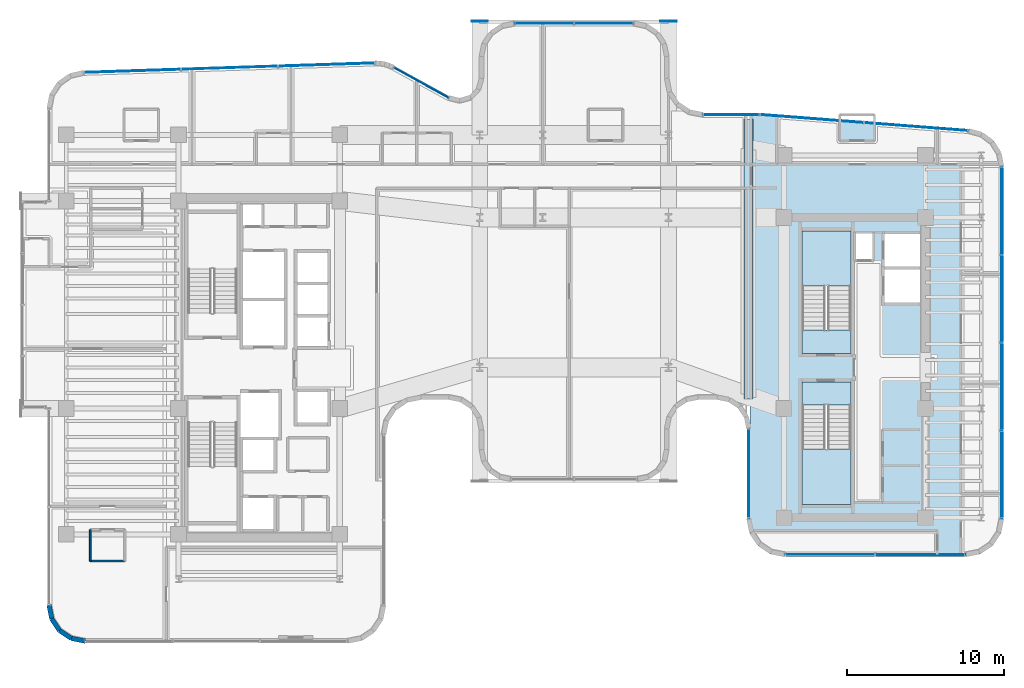
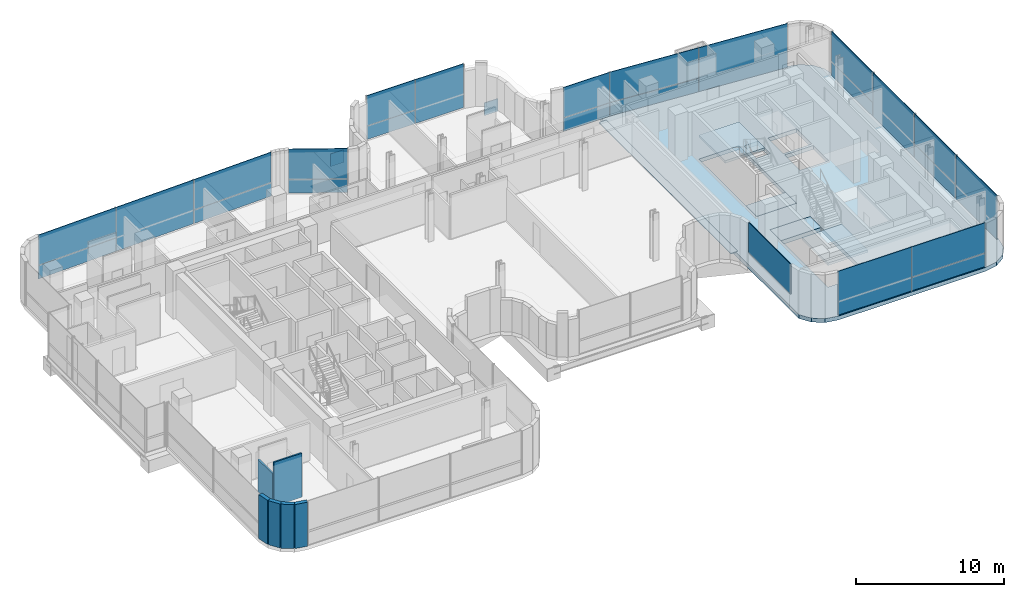
# One storey, part 25 of 36: 28 plates, 6 walls, 5 slabs, 10 elements without a shape of their own.
"""IFC4 building model written with IfcOpenShell, lengths in metres."""

from ifc_helpers import new_model, si_unit, direction, frame, frame_2d, origin, origin_2d, place, context, subcontext, project, spatial, polyline, rectangle, outline, extrude, source, transform, mapped, material, layer, layer_set, type_object, element, aggregate, save


model = new_model("IFC4")

# Units and contexts
model_context = context("Model", 3, precision=1e-05, world=origin(), true_north=direction((0.0, 1.0)))
body_context = subcontext(model_context, "Body", "Model", "MODEL_VIEW")
ifc_project = project(units=[si_unit("LENGTHUNIT", "METRE"), si_unit("AREAUNIT", "SQUARE_METRE"), si_unit("VOLUMEUNIT", "CUBIC_METRE"), si_unit("PLANEANGLEUNIT", "RADIAN"), si_unit("MASSUNIT", "GRAM", prefix="KILO")], contexts=[model_context])

# Site, building, storey
site_placement = place(None, origin())
site = spatial("IfcSite", under=ifc_project, at=site_placement, CompositionType="ELEMENT")
building_placement = place(site_placement, origin())
building = spatial("IfcBuilding", under=site, at=building_placement, Name="Valdorenza Pilgrim Sanctuary Tower", CompositionType="ELEMENT")
storey_placement = place(building_placement, frame((0.0, 0.0, 176.550048828125)))
storey = spatial("IfcBuildingStorey", under=building, at=storey_placement, Name="L45", CompositionType="ELEMENT", Elevation=176.550048828125)

# Slab
ifc_material_1 = material(Name="Concrete C40/50", Category="concrete")
ifc_layer_1 = layer(ifc_material_1, 0.320068359375, Name="Concrete C40/50")
ifc_layer_set_1 = layer_set([ifc_layer_1], Name="Concrete C40/50")
slab_type_1 = type_object("IfcSlabType", Name="SLAB-PRY-320", PredefinedType="FLOOR", material=ifc_layer_set_1)
slab_1_placement = place(storey_placement, frame((0.0, 0.0, -0.320068359375)))
element("IfcSlab", 1, at=slab_1_placement, inside=storey, type_object=slab_type_1, Name="L45 Structural Floor Slab 2", PredefinedType="FLOOR", context=body_context, shape_type="SweptSolid", body=[
    extrude(outline(polyline([(27.585205078125, 15.17138671875), (28.4453125, 14.93896484375), (29.161376953125, 14.408935546875), (29.634521484375, 13.654052734375), (29.800048828125, 12.778564453125), (29.800048828125, -9.60009765625), (29.6171875, -10.518310546875), (29.09716796875, -11.297119140625), (28.318359375, -11.8173828125), (27.39990234375, -12.0), (15.89990234375, -12.0), (14.981689453125, -11.8173828125), (14.202880859375, -11.297119140625), (13.6826171875, -10.518310546875), (13.679931640625, -10.5048828125), (13.679931640625, 16.199951171875), (14.300048828125, 16.199951171875), (27.585205078125, 15.17138671875)]), holes=[polyline([(17.0, -8.699951171875), (20.110107421875, -8.699951171875), (20.110107421875, -2.385009765625), (20.110107421875, -0.89990234375), (17.0, -0.89990234375), (17.0, -2.385009765625), (17.0, -8.699951171875)]), polyline([(17.0, 0.89990234375), (20.110107421875, 0.89990234375), (20.110107421875, 2.385009765625), (20.110107421875, 8.699951171875), (17.0, 8.699951171875), (17.0, 2.385009765625), (17.0, 0.89990234375)]), polyline([(22.25, 4.14990234375), (24.47998046875, 4.14990234375), (24.47998046875, 6.22509765625), (22.25, 6.22509765625), (22.25, 4.14990234375)]), polyline([(22.25, 6.425048828125), (24.47998046875, 6.425048828125), (24.47998046875, 8.5), (22.25, 8.5), (22.25, 6.425048828125)]), polyline([(20.409912109375, 6.860107421875), (21.489990234375, 6.860107421875), (21.489990234375, 8.52001953125), (20.409912109375, 8.52001953125), (20.409912109375, 6.860107421875)])]), origin(), (0.0, 0.0, 1.0), 0.320068359375),
])

# Stair, slab
stair_type = type_object("IfcStairType", Name="STR-DOG-CORE", PredefinedType="HALF_TURN_STAIR", material=ifc_material_1)
stair_1_placement = place(storey_placement, origin())
stair_1 = element("IfcStair", 2, at=stair_1_placement, inside=storey, type_object=stair_type, Name="L45 ST-B1", PredefinedType="HALF_TURN_STAIR")
ifc_layer_2 = layer(ifc_material_1, 0.199951171875, Name="Concrete C40/50")
ifc_layer_set_2 = layer_set([ifc_layer_2], Name="Concrete C40/50")
slab_type_2 = type_object("IfcSlabType", Name="SLAB-STL-200", PredefinedType="LANDING", material=ifc_layer_set_2)
slab_2_placement = place(storey_placement, frame((0.0, 0.0, 1.77490234375)))
slab_2 = element("IfcSlab", 3, at=slab_2_placement, type_object=slab_type_2, Name="ST-B1 landing 1", PredefinedType="LANDING", context=body_context, shape_type="SweptSolid", body=[
    extrude(outline(polyline([(20.110107421875, 5.179931640625), (20.110107421875, 8.699951171875), (17.0, 8.699951171875), (17.0, 5.179931640625), (20.110107421875, 5.179931640625)])), origin(), (0.0, 0.0, 1.0), 0.199951171875),
])
aggregate(stair_1, [slab_2])

stair_2_placement = place(storey_placement, origin())
stair_2 = element("IfcStair", 4, at=stair_2_placement, inside=storey, type_object=stair_type, Name="L45 ST-B2", PredefinedType="HALF_TURN_STAIR")
slab_3_placement = place(storey_placement, frame((0.0, 0.0, 1.77490234375)))
slab_3 = element("IfcSlab", 5, at=slab_3_placement, type_object=slab_type_2, Name="ST-B2 landing 1", PredefinedType="LANDING", context=body_context, shape_type="SweptSolid", body=[
    extrude(outline(polyline([(17.0, -5.179931640625), (17.0, -8.699951171875), (20.110107421875, -8.699951171875), (20.110107421875, -5.179931640625), (17.0, -5.179931640625)])), origin(), (0.0, 0.0, 1.0), 0.199951171875),
])
aggregate(stair_2, [slab_3])

# Slabs
ifc_material_2 = material(Name="Concrete C50/60", Category="concrete")
ifc_layer_3 = layer(ifc_material_2, 0.39990234375, Name="Concrete C50/60")
ifc_layer_set_3 = layer_set([ifc_layer_3], Name="Concrete C50/60")
slab_type_3 = type_object("IfcSlabType", Name="SLAB-TRF-400", PredefinedType="FLOOR", material=ifc_layer_set_3)
slab_4_placement = place(storey_placement, frame((0.0, 0.0, -0.360107421875)))
element("IfcSlab", 6, at=slab_4_placement, inside=storey, type_object=slab_type_3, Name="L45 ST-B1 Structural Stair Landing Bearing Slab", PredefinedType="FLOOR", context=body_context, shape_type="SweptSolid", body=[
    extrude(outline(polyline([(17.0, 0.89990234375), (20.110107421875, 0.89990234375), (20.110107421875, 2.385009765625), (17.0, 2.385009765625), (17.0, 0.89990234375)])), origin(), (0.0, 0.0, 1.0), 0.360107421875),
])
slab_5_placement = place(storey_placement, frame((0.0, 0.0, -0.360107421875)))
element("IfcSlab", 7, at=slab_5_placement, inside=storey, type_object=slab_type_3, Name="L45 ST-B2 Structural Stair Landing Bearing Slab", PredefinedType="FLOOR", context=body_context, shape_type="SweptSolid", body=[
    extrude(outline(polyline([(17.0, -2.385009765625), (20.110107421875, -2.385009765625), (20.110107421875, -0.89990234375), (17.0, -0.89990234375), (17.0, -2.385009765625)])), origin(), (0.0, 0.0, 1.0), 0.360107421875),
])

# Plates
ifc_material_3 = material(Name="Steel ASTM A572 Grade 42", Category="steel")
ifc_layer_4 = layer(ifc_material_3, 0.06005859375, Name="Steel ASTM A572 Grade 42")
ifc_layer_set_4 = layer_set([ifc_layer_4], Name="Steel ASTM A572 Grade 42")
plate_type_1 = type_object("IfcPlateType", Name="PLT-CAP-60", PredefinedType="SHEET", material=ifc_layer_set_4)
shared_shape_1 = source(origin(), body_context, "Body", "SweptSolid", [
    extrude(rectangle(XDim=0.56005859375, YDim=17.800048828125, at=origin_2d()), origin(), (0.0, 0.0, 1.0), 0.06005859375),
])
plate_1_placement = place(storey_placement, frame((13.590087890625, 6.89990234375, -0.06005859375), z_axis=(0.0, 0.0, 1.0), x_axis=(1.0, 0.0, 0.0)))
element("IfcPlate", 8, at=plate_1_placement, inside=storey, type_object=plate_type_1, Name="L45 Portal Bridge Expansion Joint Cover Plate", PredefinedType="SHEET", context=body_context, shape_type="MappedRepresentation", body=[
    mapped(shared_shape_1, transform((0.0, 0.0, 0.0), x_axis=(1.0, 0.0, 0.0), y_axis=(0.0, 1.0, 0.0), z_axis=(0.0, 0.0, 1.0), scale=1.0)),
])
shared_shape_2 = source(origin(), body_context, "Body", "SweptSolid", [
    extrude(rectangle(XDim=1.0400390625, YDim=0.06005859375, at=origin_2d()), origin(), (0.0, 0.0, 1.0), 1.0400390625),
])
for number, where, z_axis, x_axis, name in (
    (9, (-3.5, 22.030029296875, -1.340087890625), (0.0, 0.0, 1.0), (1.0, 0.0, 0.0), "L45 North Prow Cantilever End Cap W"),
    (10, (8.5, 22.030029296875, -1.340087890625), (0.0, 0.0, 1.0), (1.0, 0.0, 0.0), "L45 North Prow Cantilever End Cap E"),
):
    element("IfcPlate", number, at=place(storey_placement, frame(where, z_axis=z_axis, x_axis=x_axis)), inside=storey, type_object=plate_type_1, Name=name, PredefinedType="SHEET", context=body_context, shape_type="MappedRepresentation", body=[
        mapped(shared_shape_2, transform((0.0, 0.0, 0.0), x_axis=(1.0, 0.0, 0.0), y_axis=(0.0, 1.0, 0.0), z_axis=(0.0, 0.0, 1.0), scale=1.0)),
    ])

# Curtain wall, plates
ifc_material_4 = material(Name="Curtain-wall IGU glazing", Category="glass")
curtain_wall_type_1 = type_object("IfcCurtainWallType", Name="CW-SYS-02", PredefinedType="NOTDEFINED", material=ifc_material_4)
curtain_wall_1_placement = place(storey_placement, origin())
curtain_wall_1 = element("IfcCurtainWall", 11, at=curtain_wall_1_placement, inside=storey, type_object=curtain_wall_type_1, Name="L45 Curtain Wall CW-L45-1-6", PredefinedType="NOTDEFINED")
ifc_material_5 = material(Name="Honed travertine limestone", Category="masonry")
ifc_layer_5 = layer(ifc_material_5, 0.050048828125, Name="Honed travertine limestone")
ifc_layer_set_5 = layer_set([ifc_layer_5], Name="Honed travertine limestone")
plate_type_2 = type_object("IfcPlateType", Name="CW-SPN-TRV", PredefinedType="USERDEFINED", material=ifc_layer_set_5)
shared_shape_3 = source(origin(), body_context, "Body", "SweptSolid", [
    extrude(rectangle(XDim=6.15185546875, YDim=0.06005859375, at=origin_2d()), origin(), (0.0, 0.0, 1.0), 1.10009765625),
])
plate_2_placement = place(storey_placement, frame((-25.57958984375, 18.866455078125, 0.010009765625), z_axis=(0.0, 0.0, 1.0), x_axis=(0.999470282811, 0.032544642846, 0.0)))
plate_2 = element("IfcPlate", 12, at=plate_2_placement, type_object=plate_type_2, Name="CW-L45-1-6 Travertine Spandrel 1", ObjectType="SPANDREL", PredefinedType="USERDEFINED", context=body_context, shape_type="MappedRepresentation", body=[
    mapped(shared_shape_3, transform((0.0, 0.0, 0.0), x_axis=(1.0, 0.0, 0.0), y_axis=(0.0, 1.0, 0.0), z_axis=(0.0, 0.0, 1.0), scale=1.0)),
])
plate_3_placement = place(storey_placement, frame((-13.2421875, 19.26806640625, 0.010009765625), z_axis=(0.0, 0.0, 1.0), x_axis=(0.999470282811, 0.032544642846, 0.0)))
plate_3 = element("IfcPlate", 13, at=plate_3_placement, type_object=plate_type_2, Name="CW-L45-1-6 Travertine Spandrel 3", ObjectType="SPANDREL", PredefinedType="USERDEFINED", context=body_context, shape_type="MappedRepresentation", body=[
    mapped(shared_shape_3, transform((0.0, 0.0, 0.0), x_axis=(1.0, 0.0, 0.0), y_axis=(0.0, 1.0, 0.0), z_axis=(0.0, 0.0, 1.0), scale=1.0)),
])

# Curtain wall, plate
curtain_wall_type_2 = type_object("IfcCurtainWallType", Name="CW-SYS-05", PredefinedType="NOTDEFINED", material=ifc_material_4)
curtain_wall_2_placement = place(storey_placement, origin())
curtain_wall_2 = element("IfcCurtainWall", 14, at=curtain_wall_2_placement, inside=storey, type_object=curtain_wall_type_2, Name="L45 Curtain Wall CW-L45-1-11", PredefinedType="NOTDEFINED")
shared_shape_4 = source(origin(), body_context, "Body", "SweptSolid", [
    extrude(rectangle(XDim=3.97607421875, YDim=0.06005859375, at=origin_2d()), origin(), (0.0, 0.0, 1.0), 1.10009765625),
])
plate_4_placement = place(storey_placement, frame((-7.222412109375, 18.12158203125, 0.010009765625), z_axis=(0.0, 0.0, 1.0), x_axis=(0.876214173829, -0.481921904027, 0.0)))
plate_4 = element("IfcPlate", 15, at=plate_4_placement, type_object=plate_type_2, Name="CW-L45-1-11 Travertine Spandrel 1", ObjectType="SPANDREL", PredefinedType="USERDEFINED", context=body_context, shape_type="MappedRepresentation", body=[
    mapped(shared_shape_4, transform((0.0, 0.0, 0.0), x_axis=(1.0, 0.0, 0.0), y_axis=(0.0, 1.0, 0.0), z_axis=(0.0, 0.0, 1.0), scale=1.0)),
])

curtain_wall_3_placement = place(storey_placement, origin())
curtain_wall_3 = element("IfcCurtainWall", 16, at=curtain_wall_3_placement, inside=storey, type_object=curtain_wall_type_2, Name="L45 Curtain Wall CW-L45-1-21", PredefinedType="NOTDEFINED")
shared_shape_5 = source(origin(), body_context, "Body", "SweptSolid", [
    extrude(rectangle(XDim=3.76513671875, YDim=0.06005859375, at=origin_2d()), origin(), (0.0, 0.0, 1.0), 1.10009765625),
])
plate_5_placement = place(storey_placement, frame((0.607421875, 21.889892578125, 0.010009765625), z_axis=(0.0, 0.0, 1.0), x_axis=(1.0, 0.0, 0.0)))
plate_5 = element("IfcPlate", 17, at=plate_5_placement, type_object=plate_type_2, Name="CW-L45-1-21 Travertine Spandrel 1", ObjectType="SPANDREL", PredefinedType="USERDEFINED", context=body_context, shape_type="MappedRepresentation", body=[
    mapped(shared_shape_5, transform((0.0, 0.0, 0.0), x_axis=(1.0, 0.0, 0.0), y_axis=(0.0, 1.0, 0.0), z_axis=(0.0, 0.0, 1.0), scale=1.0)),
])

curtain_wall_4_placement = place(storey_placement, origin())
curtain_wall_4 = element("IfcCurtainWall", 18, at=curtain_wall_4_placement, inside=storey, type_object=curtain_wall_type_2, Name="L45 Curtain Wall CW-L45-1-31", PredefinedType="NOTDEFINED")
shared_shape_6 = source(origin(), body_context, "Body", "SweptSolid", [
    extrude(rectangle(XDim=3.58251953125, YDim=0.06005859375, at=origin_2d()), origin(), (0.0, 0.0, 1.0), 1.10009765625),
])
plate_6_placement = place(storey_placement, frame((12.494384765625, 16.090087890625, 0.010009765625), z_axis=(0.0, 0.0, 1.0), x_axis=(1.0, 0.0, 0.0)))
plate_6 = element("IfcPlate", 19, at=plate_6_placement, type_object=plate_type_2, Name="CW-L45-1-31 Travertine Spandrel 1", ObjectType="SPANDREL", PredefinedType="USERDEFINED", context=body_context, shape_type="MappedRepresentation", body=[
    mapped(shared_shape_6, transform((0.0, 0.0, 0.0), x_axis=(1.0, 0.0, 0.0), y_axis=(0.0, 1.0, 0.0), z_axis=(0.0, 0.0, 1.0), scale=1.0)),
])

curtain_wall_type_3 = type_object("IfcCurtainWallType", Name="CW-SYS-03", PredefinedType="NOTDEFINED", material=ifc_material_4)
curtain_wall_5_placement = place(storey_placement, origin())
curtain_wall_5 = element("IfcCurtainWall", 20, at=curtain_wall_5_placement, inside=storey, type_object=curtain_wall_type_3, Name="L45 Curtain Wall CW-L45-1-32", PredefinedType="NOTDEFINED")
shared_shape_7 = source(origin(), body_context, "Body", "SweptSolid", [
    extrude(rectangle(XDim=6.63525390625, YDim=0.06005859375, at=origin_2d()), origin(), (0.0, 0.0, 1.0), 1.10009765625),
])
plate_7_placement = place(storey_placement, frame((17.61328125, 15.8330078125, 0.010009765625), z_axis=(0.0, 0.0, 1.0), x_axis=(0.997016488532, -0.077188869631, 0.0)))
plate_7 = element("IfcPlate", 21, at=plate_7_placement, type_object=plate_type_2, Name="CW-L45-1-32 Travertine Spandrel 1", ObjectType="SPANDREL", PredefinedType="USERDEFINED", context=body_context, shape_type="MappedRepresentation", body=[
    mapped(shared_shape_7, transform((0.0, 0.0, 0.0), x_axis=(1.0, 0.0, 0.0), y_axis=(0.0, 1.0, 0.0), z_axis=(0.0, 0.0, 1.0), scale=1.0)),
])

# Curtain wall, plates
curtain_wall_6_placement = place(storey_placement, origin())
curtain_wall_6 = element("IfcCurtainWall", 22, at=curtain_wall_6_placement, inside=storey, type_object=curtain_wall_type_3, Name="L45 Curtain Wall CW-L45-1-37", PredefinedType="NOTDEFINED")
shared_shape_8 = source(origin(), body_context, "Body", "SweptSolid", [
    extrude(rectangle(XDim=5.5693359375, YDim=0.06005859375, at=origin_2d()), origin(), (0.0, 0.0, 1.0), 1.10009765625),
])
plate_8_placement = place(storey_placement, frame((29.68994140625, 9.9736328125, 0.010009765625), z_axis=(0.0, 0.0, 1.0), x_axis=(0.0, -1.0, 0.0)))
plate_8 = element("IfcPlate", 23, at=plate_8_placement, type_object=plate_type_2, Name="CW-L45-1-37 Travertine Spandrel 1", ObjectType="SPANDREL", PredefinedType="USERDEFINED", context=body_context, shape_type="MappedRepresentation", body=[
    mapped(shared_shape_8, transform((0.0, 0.0, 0.0), x_axis=(1.0, 0.0, 0.0), y_axis=(0.0, 1.0, 0.0), z_axis=(0.0, 0.0, 1.0), scale=1.0)),
])
plate_9_placement = place(storey_placement, frame((29.68994140625, -1.205078125, 0.010009765625), z_axis=(0.0, 0.0, 1.0), x_axis=(0.0, -1.0, 0.0)))
plate_9 = element("IfcPlate", 24, at=plate_9_placement, type_object=plate_type_2, Name="CW-L45-1-37 Travertine Spandrel 3", ObjectType="SPANDREL", PredefinedType="USERDEFINED", context=body_context, shape_type="MappedRepresentation", body=[
    mapped(shared_shape_8, transform((0.0, 0.0, 0.0), x_axis=(1.0, 0.0, 0.0), y_axis=(0.0, 1.0, 0.0), z_axis=(0.0, 0.0, 1.0), scale=1.0)),
])

# Curtain wall, plate
curtain_wall_7_placement = place(storey_placement, origin())
curtain_wall_7 = element("IfcCurtainWall", 25, at=curtain_wall_7_placement, inside=storey, type_object=curtain_wall_type_3, Name="L45 Curtain Wall CW-L45-1-42", PredefinedType="NOTDEFINED")
shared_shape_9 = source(origin(), body_context, "Body", "SweptSolid", [
    extrude(rectangle(XDim=5.71923828125, YDim=0.06005859375, at=origin_2d()), origin(), (0.0, 0.0, 1.0), 1.10009765625),
])
plate_10_placement = place(storey_placement, frame((24.51953125, -11.889892578125, 0.010009765625), z_axis=(0.0, 0.0, 1.0), x_axis=(-1.0, 0.0, 0.0)))
plate_10 = element("IfcPlate", 26, at=plate_10_placement, type_object=plate_type_2, Name="CW-L45-1-42 Travertine Spandrel 1", ObjectType="SPANDREL", PredefinedType="USERDEFINED", context=body_context, shape_type="MappedRepresentation", body=[
    mapped(shared_shape_9, transform((0.0, 0.0, 0.0), x_axis=(1.0, 0.0, 0.0), y_axis=(0.0, 1.0, 0.0), z_axis=(0.0, 0.0, 1.0), scale=1.0)),
])

# Plate
ifc_material_6 = material(Name="Ceramic-fritted low-E IGU glazing", Category="glass")
ifc_layer_6 = layer(ifc_material_6, 0.035888671875, Name="Ceramic-fritted low-E IGU glazing")
ifc_layer_set_6 = layer_set([ifc_layer_6], Name="Ceramic-fritted low-E IGU glazing")
plate_type_3 = type_object("IfcPlateType", Name="CW-GLZ-IGU", PredefinedType="USERDEFINED", material=ifc_layer_set_6)
shared_shape_10 = source(origin(), body_context, "Body", "SweptSolid", [
    extrude(rectangle(XDim=6.15185546875, YDim=0.050048828125, at=origin_2d()), origin(), (0.0, 0.0, 1.0), 2.489990234375),
])
plate_11_placement = place(storey_placement, frame((-25.57958984375, 18.866455078125, 1.1298828125), z_axis=(0.0, 0.0, 1.0), x_axis=(0.999470282811, 0.032544642846, 0.0)))
plate_11 = element("IfcPlate", 27, at=plate_11_placement, type_object=plate_type_3, Name="CW-L45-1-6 Facade Panel 1", ObjectType="GLAZING", PredefinedType="USERDEFINED", context=body_context, shape_type="MappedRepresentation", body=[
    mapped(shared_shape_10, transform((0.0, 0.0, 0.0), x_axis=(1.0, 0.0, 0.0), y_axis=(0.0, 1.0, 0.0), z_axis=(0.0, 0.0, 1.0), scale=1.0)),
])

plate_12_placement = place(storey_placement, frame((-13.2421875, 19.26806640625, 1.1298828125), z_axis=(0.0, 0.0, 1.0), x_axis=(0.999470282811, 0.032544642846, 0.0)))
plate_12 = element("IfcPlate", 28, at=plate_12_placement, type_object=plate_type_3, Name="CW-L45-1-6 Facade Panel 3", ObjectType="GLAZING", PredefinedType="USERDEFINED", context=body_context, shape_type="MappedRepresentation", body=[
    mapped(shared_shape_10, transform((0.0, 0.0, 0.0), x_axis=(1.0, 0.0, 0.0), y_axis=(0.0, 1.0, 0.0), z_axis=(0.0, 0.0, 1.0), scale=1.0)),
])

shared_shape_11 = source(origin(), body_context, "Body", "SweptSolid", [
    extrude(rectangle(XDim=6.15185546875, YDim=0.050048828125, at=origin_2d()), origin(), (0.0, 0.0, 1.0), 3.610107421875),
])
plate_13_placement = place(storey_placement, frame((-19.410888671875, 19.0673828125, 0.009765625), z_axis=(0.0, 0.0, 1.0), x_axis=(0.999470282811, 0.032544642846, 0.0)))
plate_13 = element("IfcPlate", 29, at=plate_13_placement, type_object=plate_type_3, Name="CW-L45-1-6 Full-Height Facade Panel 2", ObjectType="GLAZING", PredefinedType="USERDEFINED", context=body_context, shape_type="MappedRepresentation", body=[
    mapped(shared_shape_11, transform((0.0, 0.0, 0.0), x_axis=(1.0, 0.0, 0.0), y_axis=(0.0, 1.0, 0.0), z_axis=(0.0, 0.0, 1.0), scale=1.0)),
])

aggregate(curtain_wall_1, [plate_2, plate_11, plate_13, plate_3, plate_12])

shared_shape_12 = source(origin(), body_context, "Body", "SweptSolid", [
    extrude(rectangle(XDim=3.97607421875, YDim=0.050048828125, at=origin_2d()), origin(), (0.0, 0.0, 1.0), 2.489990234375),
])
plate_14_placement = place(storey_placement, frame((-7.222412109375, 18.12158203125, 1.1298828125), z_axis=(0.0, 0.0, 1.0), x_axis=(0.876214173829, -0.481921904027, 0.0)))
plate_14 = element("IfcPlate", 30, at=plate_14_placement, type_object=plate_type_3, Name="CW-L45-1-11 Facade Panel 1", ObjectType="GLAZING", PredefinedType="USERDEFINED", context=body_context, shape_type="MappedRepresentation", body=[
    mapped(shared_shape_12, transform((0.0, 0.0, 0.0), x_axis=(1.0, 0.0, 0.0), y_axis=(0.0, 1.0, 0.0), z_axis=(0.0, 0.0, 1.0), scale=1.0)),
])

aggregate(curtain_wall_2, [plate_4, plate_14])

shared_shape_13 = source(origin(), body_context, "Body", "SweptSolid", [
    extrude(rectangle(XDim=3.76513671875, YDim=0.050048828125, at=origin_2d()), origin(), (0.0, 0.0, 1.0), 2.489990234375),
])
plate_15_placement = place(storey_placement, frame((0.607421875, 21.889892578125, 1.1298828125), z_axis=(0.0, 0.0, 1.0), x_axis=(1.0, 0.0, 0.0)))
plate_15 = element("IfcPlate", 31, at=plate_15_placement, type_object=plate_type_3, Name="CW-L45-1-21 Facade Panel 1", ObjectType="GLAZING", PredefinedType="USERDEFINED", context=body_context, shape_type="MappedRepresentation", body=[
    mapped(shared_shape_13, transform((0.0, 0.0, 0.0), x_axis=(1.0, 0.0, 0.0), y_axis=(0.0, 1.0, 0.0), z_axis=(0.0, 0.0, 1.0), scale=1.0)),
])

shared_shape_14 = source(origin(), body_context, "Body", "SweptSolid", [
    extrude(rectangle(XDim=3.76513671875, YDim=0.050048828125, at=origin_2d()), origin(), (0.0, 0.0, 1.0), 3.610107421875),
])
plate_16_placement = place(storey_placement, frame((4.392578125, 21.889892578125, 0.009765625), z_axis=(0.0, 0.0, 1.0), x_axis=(1.0, 0.0, 0.0)))
plate_16 = element("IfcPlate", 32, at=plate_16_placement, type_object=plate_type_3, Name="CW-L45-1-21 Full-Height Facade Panel 2", ObjectType="GLAZING", PredefinedType="USERDEFINED", context=body_context, shape_type="MappedRepresentation", body=[
    mapped(shared_shape_14, transform((0.0, 0.0, 0.0), x_axis=(1.0, 0.0, 0.0), y_axis=(0.0, 1.0, 0.0), z_axis=(0.0, 0.0, 1.0), scale=1.0)),
])

aggregate(curtain_wall_3, [plate_5, plate_15, plate_16])

shared_shape_15 = source(origin(), body_context, "Body", "SweptSolid", [
    extrude(rectangle(XDim=3.58251953125, YDim=0.050048828125, at=origin_2d()), origin(), (0.0, 0.0, 1.0), 2.489990234375),
])
plate_17_placement = place(storey_placement, frame((12.494384765625, 16.090087890625, 1.1298828125), z_axis=(0.0, 0.0, 1.0), x_axis=(1.0, 0.0, 0.0)))
plate_17 = element("IfcPlate", 33, at=plate_17_placement, type_object=plate_type_3, Name="CW-L45-1-31 Facade Panel 1", ObjectType="GLAZING", PredefinedType="USERDEFINED", context=body_context, shape_type="MappedRepresentation", body=[
    mapped(shared_shape_15, transform((0.0, 0.0, 0.0), x_axis=(1.0, 0.0, 0.0), y_axis=(0.0, 1.0, 0.0), z_axis=(0.0, 0.0, 1.0), scale=1.0)),
])

aggregate(curtain_wall_4, [plate_6, plate_17])

shared_shape_16 = source(origin(), body_context, "Body", "SweptSolid", [
    extrude(rectangle(XDim=6.63525390625, YDim=0.050048828125, at=origin_2d()), origin(), (0.0, 0.0, 1.0), 2.489990234375),
])
plate_18_placement = place(storey_placement, frame((17.61328125, 15.8330078125, 1.1298828125), z_axis=(0.0, 0.0, 1.0), x_axis=(0.997016488532, -0.077188869631, 0.0)))
plate_18 = element("IfcPlate", 34, at=plate_18_placement, type_object=plate_type_3, Name="CW-L45-1-32 Facade Panel 1", ObjectType="GLAZING", PredefinedType="USERDEFINED", context=body_context, shape_type="MappedRepresentation", body=[
    mapped(shared_shape_16, transform((0.0, 0.0, 0.0), x_axis=(1.0, 0.0, 0.0), y_axis=(0.0, 1.0, 0.0), z_axis=(0.0, 0.0, 1.0), scale=1.0)),
])

shared_shape_17 = source(origin(), body_context, "Body", "SweptSolid", [
    extrude(rectangle(XDim=6.63525390625, YDim=0.050048828125, at=origin_2d()), origin(), (0.0, 0.0, 1.0), 3.610107421875),
])
plate_19_placement = place(storey_placement, frame((24.248779296875, 15.3193359375, 0.009765625), z_axis=(0.0, 0.0, 1.0), x_axis=(0.997016488532, -0.077188869631, 0.0)))
plate_19 = element("IfcPlate", 35, at=plate_19_placement, type_object=plate_type_3, Name="CW-L45-1-32 Full-Height Facade Panel 2", ObjectType="GLAZING", PredefinedType="USERDEFINED", context=body_context, shape_type="MappedRepresentation", body=[
    mapped(shared_shape_17, transform((0.0, 0.0, 0.0), x_axis=(1.0, 0.0, 0.0), y_axis=(0.0, 1.0, 0.0), z_axis=(0.0, 0.0, 1.0), scale=1.0)),
])

aggregate(curtain_wall_5, [plate_7, plate_18, plate_19])

shared_shape_18 = source(origin(), body_context, "Body", "SweptSolid", [
    extrude(rectangle(XDim=5.5693359375, YDim=0.050048828125, at=origin_2d()), origin(), (0.0, 0.0, 1.0), 2.489990234375),
])
plate_20_placement = place(storey_placement, frame((29.68994140625, 9.9736328125, 1.1298828125), z_axis=(0.0, 0.0, 1.0), x_axis=(0.0, -1.0, 0.0)))
plate_20 = element("IfcPlate", 36, at=plate_20_placement, type_object=plate_type_3, Name="CW-L45-1-37 Facade Panel 1", ObjectType="GLAZING", PredefinedType="USERDEFINED", context=body_context, shape_type="MappedRepresentation", body=[
    mapped(shared_shape_18, transform((0.0, 0.0, 0.0), x_axis=(1.0, 0.0, 0.0), y_axis=(0.0, 1.0, 0.0), z_axis=(0.0, 0.0, 1.0), scale=1.0)),
])

plate_21_placement = place(storey_placement, frame((29.68994140625, -1.205078125, 1.1298828125), z_axis=(0.0, 0.0, 1.0), x_axis=(0.0, -1.0, 0.0)))
plate_21 = element("IfcPlate", 37, at=plate_21_placement, type_object=plate_type_3, Name="CW-L45-1-37 Facade Panel 3", ObjectType="GLAZING", PredefinedType="USERDEFINED", context=body_context, shape_type="MappedRepresentation", body=[
    mapped(shared_shape_18, transform((0.0, 0.0, 0.0), x_axis=(1.0, 0.0, 0.0), y_axis=(0.0, 1.0, 0.0), z_axis=(0.0, 0.0, 1.0), scale=1.0)),
])

shared_shape_19 = source(origin(), body_context, "Body", "SweptSolid", [
    extrude(rectangle(XDim=5.5693359375, YDim=0.050048828125, at=origin_2d()), origin(), (0.0, 0.0, 1.0), 3.610107421875),
])
plate_22_placement = place(storey_placement, frame((29.68994140625, 4.38427734375, 0.009765625), z_axis=(0.0, 0.0, 1.0), x_axis=(0.0, -1.0, 0.0)))
plate_22 = element("IfcPlate", 38, at=plate_22_placement, type_object=plate_type_3, Name="CW-L45-1-37 Full-Height Facade Panel 2", ObjectType="GLAZING", PredefinedType="USERDEFINED", context=body_context, shape_type="MappedRepresentation", body=[
    mapped(shared_shape_19, transform((0.0, 0.0, 0.0), x_axis=(1.0, 0.0, 0.0), y_axis=(0.0, 1.0, 0.0), z_axis=(0.0, 0.0, 1.0), scale=1.0)),
])

plate_23_placement = place(storey_placement, frame((29.68994140625, -6.79443359375, 0.009765625), z_axis=(0.0, 0.0, 1.0), x_axis=(0.0, -1.0, 0.0)))
plate_23 = element("IfcPlate", 39, at=plate_23_placement, type_object=plate_type_3, Name="CW-L45-1-37 Full-Height Facade Panel 4", ObjectType="GLAZING", PredefinedType="USERDEFINED", context=body_context, shape_type="MappedRepresentation", body=[
    mapped(shared_shape_19, transform((0.0, 0.0, 0.0), x_axis=(1.0, 0.0, 0.0), y_axis=(0.0, 1.0, 0.0), z_axis=(0.0, 0.0, 1.0), scale=1.0)),
])

aggregate(curtain_wall_6, [plate_8, plate_20, plate_22, plate_9, plate_21, plate_23])

shared_shape_20 = source(origin(), body_context, "Body", "SweptSolid", [
    extrude(rectangle(XDim=5.71923828125, YDim=0.050048828125, at=origin_2d()), origin(), (0.0, 0.0, 1.0), 2.489990234375),
])
plate_24_placement = place(storey_placement, frame((24.51953125, -11.889892578125, 1.1298828125), z_axis=(0.0, 0.0, 1.0), x_axis=(-1.0, 0.0, 0.0)))
plate_24 = element("IfcPlate", 40, at=plate_24_placement, type_object=plate_type_3, Name="CW-L45-1-42 Facade Panel 1", ObjectType="GLAZING", PredefinedType="USERDEFINED", context=body_context, shape_type="MappedRepresentation", body=[
    mapped(shared_shape_20, transform((0.0, 0.0, 0.0), x_axis=(1.0, 0.0, 0.0), y_axis=(0.0, 1.0, 0.0), z_axis=(0.0, 0.0, 1.0), scale=1.0)),
])

shared_shape_21 = source(origin(), body_context, "Body", "SweptSolid", [
    extrude(rectangle(XDim=5.71923828125, YDim=0.050048828125, at=origin_2d()), origin(), (0.0, 0.0, 1.0), 3.610107421875),
])
plate_25_placement = place(storey_placement, frame((18.780517578125, -11.889892578125, 0.009765625), z_axis=(0.0, 0.0, 1.0), x_axis=(-1.0, 0.0, 0.0)))
plate_25 = element("IfcPlate", 41, at=plate_25_placement, type_object=plate_type_3, Name="CW-L45-1-42 Full-Height Facade Panel 2", ObjectType="GLAZING", PredefinedType="USERDEFINED", context=body_context, shape_type="MappedRepresentation", body=[
    mapped(shared_shape_21, transform((0.0, 0.0, 0.0), x_axis=(1.0, 0.0, 0.0), y_axis=(0.0, 1.0, 0.0), z_axis=(0.0, 0.0, 1.0), scale=1.0)),
])

aggregate(curtain_wall_7, [plate_10, plate_24, plate_25])

# Curtain wall, plate
curtain_wall_8_placement = place(storey_placement, origin())
curtain_wall_8 = element("IfcCurtainWall", 42, at=curtain_wall_8_placement, inside=storey, type_object=curtain_wall_type_2, Name="L45 Curtain Wall CW-L45-1-47", PredefinedType="NOTDEFINED")
shared_shape_22 = source(origin(), body_context, "Body", "SweptSolid", [
    extrude(rectangle(XDim=5.679931640625, YDim=0.050048828125, at=origin_2d()), origin(), (0.0, 0.0, 1.0), 2.489990234375),
])
plate_26_placement = place(storey_placement, frame((13.610107421875, -6.7392578125, 1.1298828125), z_axis=(0.0, 0.0, 1.0), x_axis=(0.0, 1.0, 0.0)))
plate_26 = element("IfcPlate", 43, at=plate_26_placement, type_object=plate_type_3, Name="CW-L45-1-47 Facade Panel 1", ObjectType="GLAZING", PredefinedType="USERDEFINED", context=body_context, shape_type="MappedRepresentation", body=[
    mapped(shared_shape_22, transform((0.0, 0.0, 0.0), x_axis=(1.0, 0.0, 0.0), y_axis=(0.0, 1.0, 0.0), z_axis=(0.0, 0.0, 1.0), scale=1.0)),
])
aggregate(curtain_wall_8, [plate_26])

# Walls
ifc_layer_7 = layer(ifc_material_5, 0.300048828125, Name="Honed travertine limestone")
ifc_layer_set_7 = layer_set([ifc_layer_7], Name="Honed travertine limestone")
wall_type_1 = type_object("IfcWallType", Name="WAL-EXT-300", PredefinedType="SOLIDWALL", material=ifc_layer_set_7)
wall_1_placement = place(storey_placement, frame((-28.589111328125, -17.389892578125, 0.0), z_axis=(0.0, 0.0, 1.0), x_axis=(-0.980798241101, 0.195025152871, 0.0)))
element("IfcWall", 44, at=wall_1_placement, inside=storey, type_object=wall_type_1, Name="L45 Rounded Wind-Corner Stone Pier 83", PredefinedType="SOLIDWALL", context=body_context, shape_type="SweptSolid", body=[
    extrude(rectangle(XDim=0.90380859375, YDim=0.300048828125, at=frame_2d((0.451904296875, 0.0))), origin(), (0.0, 0.0, 1.0), 3.6298828125),
])
for number, where, z_axis, x_axis, name in (
    (45, (-29.4755859375, -17.213623046875, 0.0), (0.0, 0.0, 1.0), (-0.831502848374, 0.555520488502, 0.0), "L45 Rounded Wind-Corner Stone Pier 84"),
    (46, (-30.2177734375, -16.7177734375, 0.0), (0.0, 0.0, 1.0), (-0.555520488502, 0.831502848374, 0.0), "L45 Rounded Wind-Corner Stone Pier 85"),
):
    element("IfcWall", number, at=place(storey_placement, frame(where, z_axis=z_axis, x_axis=x_axis)), inside=storey, type_object=wall_type_1, Name=name, PredefinedType="SOLIDWALL", context=body_context, shape_type="SweptSolid", body=[
        extrude(rectangle(XDim=0.892578125, YDim=0.300048828125, at=frame_2d((0.4462890625, 0.0))), origin(), (0.0, 0.0, 1.0), 3.6298828125),
    ])
wall_2_placement = place(storey_placement, frame((-30.713623046875, -15.9755859375, 0.0), z_axis=(0.0, 0.0, 1.0), x_axis=(-0.195025152871, 0.980798241101, 0.0)))
element("IfcWall", 47, at=wall_2_placement, inside=storey, type_object=wall_type_1, Name="L45 Rounded Wind-Corner Stone Pier 86", PredefinedType="SOLIDWALL", context=body_context, shape_type="SweptSolid", body=[
    extrude(rectangle(XDim=0.90380859375, YDim=0.300048828125, at=frame_2d((0.451904296875, 0.0))), origin(), (0.0, 0.0, 1.0), 3.6298828125),
])
ifc_material_7 = material(Name="Moisture-resistant gypsum partition", Category="gypsum")
ifc_layer_8 = layer(ifc_material_7, 0.1201171875, Name="Moisture-resistant gypsum partition")
ifc_layer_set_8 = layer_set([ifc_layer_8], Name="Moisture-resistant gypsum partition")
wall_type_2 = type_object("IfcWallType", Name="WAL-INT-120", PredefinedType="PARTITIONING", material=ifc_layer_set_8)
wall_3_placement = place(storey_placement, frame((-28.27001953125, -12.300048828125, 0.0), z_axis=(0.0, 0.0, 1.0), x_axis=(0.0, 1.0, 0.0)))
element("IfcWall", 48, at=wall_3_placement, inside=storey, type_object=wall_type_2, Name="L45 Pilgrim Guest Room L45-CS1 En-suite West Wall", PredefinedType="PARTITIONING", context=body_context, shape_type="SweptSolid", body=[
    extrude(rectangle(XDim=2.0, YDim=0.1201171875, at=frame_2d((1.0, 0.0))), origin(), (0.0, 0.0, 1.0), 2.6650390625),
])
wall_4_placement = place(storey_placement, frame((-28.27001953125, -12.300048828125, 0.0), z_axis=(0.0, 0.0, 1.0), x_axis=(1.0, 0.0, 0.0)))
element("IfcWall", 49, at=wall_4_placement, inside=storey, type_object=wall_type_2, Name="L45 Pilgrim Guest Room L45-CS1 En-suite Back Wall", PredefinedType="PARTITIONING", context=body_context, shape_type="SweptSolid", body=[
    extrude(rectangle(XDim=2.199951171875, YDim=0.1201171875, at=frame_2d((1.10009765625, 0.0))), origin(), (0.0, 0.0, 1.0), 3.6298828125),
])

save(model, "model.ifc")
